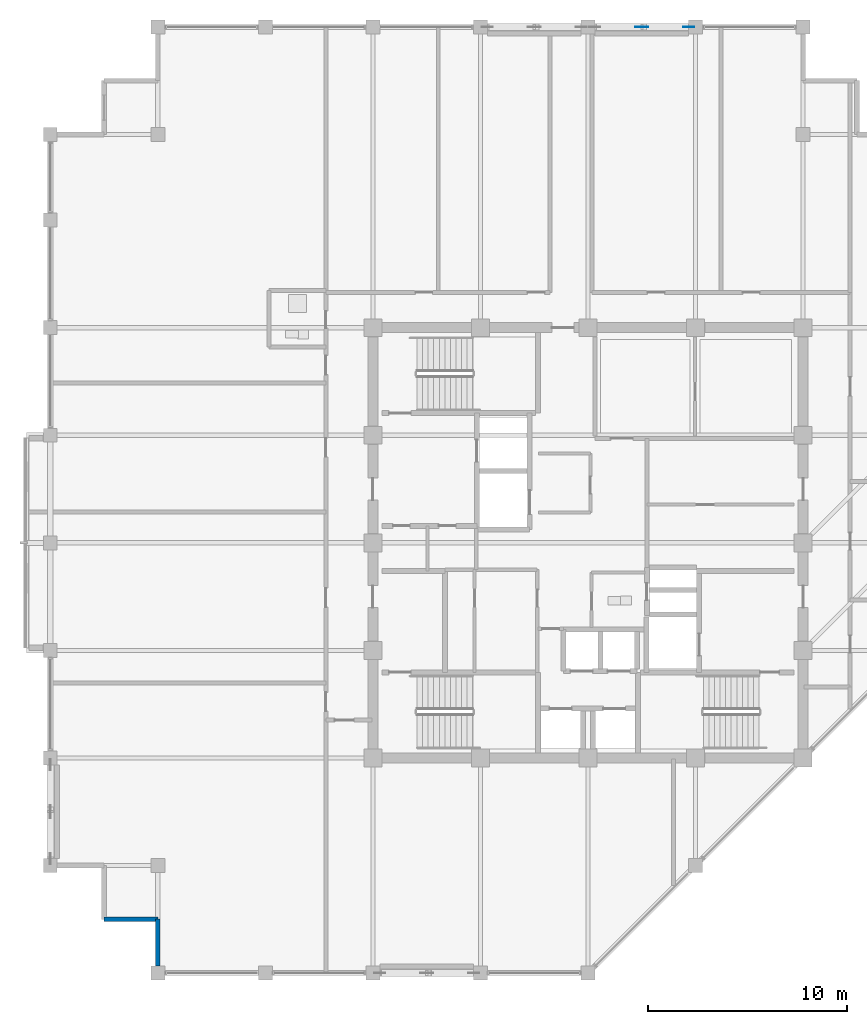
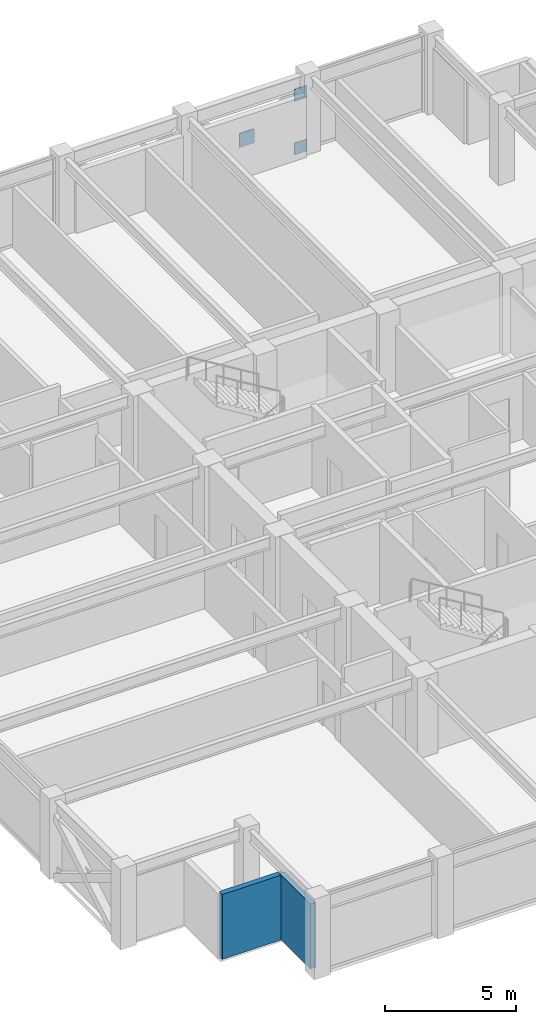
# One storey, part 23 of 30: 3 plates, 2 walls.
"""IFC4 building model written with IfcOpenShell, lengths in metres."""

from ifc_helpers import new_model, si_unit, direction, frame, frame_2d, origin, origin_2d, place, context, subcontext, project, spatial, rectangle, extrude, material, layer, layer_set, type_object, element, save


model = new_model("IFC4")

# Units and contexts
model_context = context("Model", 3, precision=1e-05, world=origin(), true_north=direction((0.0, 1.0)))
body_context = subcontext(model_context, "Body", "Model", "MODEL_VIEW")
ifc_project = project(units=[si_unit("LENGTHUNIT", "METRE"), si_unit("AREAUNIT", "SQUARE_METRE"), si_unit("VOLUMEUNIT", "CUBIC_METRE"), si_unit("PLANEANGLEUNIT", "RADIAN"), si_unit("MASSUNIT", "GRAM", prefix="KILO")], contexts=[model_context])

# Site, building, storey
site_placement = place(None, origin())
site = spatial("IfcSite", under=ifc_project, at=site_placement, CompositionType="ELEMENT")
building_placement = place(site_placement, origin())
building = spatial("IfcBuilding", under=site, at=building_placement, Name="Surkhivell Harbour Commons", CompositionType="ELEMENT")
storey_placement = place(building_placement, frame((0.0, 0.0, 307.5)))
storey = spatial("IfcBuildingStorey", under=building, at=storey_placement, Name="L80", CompositionType="ELEMENT", Elevation=307.5)

# Plates
ifc_material_1 = material(Name="Steel S460", Category="steel")
ifc_layer_1 = layer(ifc_material_1, 0.035888671875)
ifc_layer_set_1 = layer_set([ifc_layer_1], Name="Steel S460")
plate_type_1 = type_object("IfcPlateType", Name="PLT-GUS-550", PredefinedType="USERDEFINED", material=ifc_layer_set_1)
for number, where, z_axis, x_axis, name in (
    (1, (5.06494140625, 25.89990234375, -0.07470703125), (0.0, 0.0, 1.0), (1.0, 0.0, 0.0), "L80 Perimeter Mega-Brace MB- Corner Gusset N2-2"),
    (2, (5.06494140625, 25.89990234375, 2.41357421875), (0.0, 0.0, 1.0), (1.0, 0.0, 0.0), "L80 Perimeter Mega-Brace MB- Corner Gusset N2-4"),
):
    element("IfcPlate", number, at=place(storey_placement, frame(where, z_axis=z_axis, x_axis=x_axis)), inside=storey, type_object=plate_type_1, Name=name, ObjectType="GUSSET_PLATE", PredefinedType="USERDEFINED", context=body_context, shape_type="SweptSolid", body=[
        extrude(rectangle(XDim=0.550048828125, YDim=0.035888671875, at=origin_2d()), origin(), (0.0, 0.0, 1.0), 0.550048828125),
    ])
ifc_layer_2 = layer(ifc_material_1, 0.044921875)
ifc_layer_set_2 = layer_set([ifc_layer_2], Name="Steel S460")
plate_type_2 = type_object("IfcPlateType", Name="PLT-GUS-650", PredefinedType="USERDEFINED", material=ifc_layer_set_2)
plate_placement = place(storey_placement, frame((2.699951171875, 25.89990234375, 1.11962890625), z_axis=(0.0, 0.0, 1.0), x_axis=(1.0, 0.0, 0.0)))
element("IfcPlate", 3, at=plate_placement, inside=storey, type_object=plate_type_2, Name="L80 Perimeter Mega-Brace MB- Central Crossing Gusset N2", ObjectType="GUSSET_PLATE", PredefinedType="USERDEFINED", context=body_context, shape_type="SweptSolid", body=[
    extrude(rectangle(XDim=0.64990234375, YDim=0.044921875, at=origin_2d()), origin(), (0.0, 0.0, 1.0), 0.64990234375),
])

# Walls
ifc_material_2 = material(Name="Bronze-ochre cassette precast concrete C45/55", Category="concrete")
ifc_layer_3 = layer(ifc_material_2, 0.239990234375)
ifc_layer_set_3 = layer_set([ifc_layer_3], Name="Bronze-ochre cassette precast concrete C45/55")
wall_type = type_object("IfcWallType", Name="WAL-EXT-OCH240", PredefinedType="STANDARD", material=ifc_layer_set_3)
wall_1_placement = place(storey_placement, frame((-24.300048828125, -18.89990234375, 0.0), z_axis=(0.0, 0.0, 1.0), x_axis=(1.0, 0.0, 0.0)))
element("IfcWall", 4, at=wall_1_placement, inside=storey, type_object=wall_type, Name="L80 Serrated Corner Facade Wall 15", PredefinedType="STANDARD", context=body_context, shape_type="SweptSolid", body=[
    extrude(rectangle(XDim=2.699951171875, YDim=0.239990234375, at=frame_2d((1.35009765625, 0.0))), origin(), (0.0, 0.0, 1.0), 3.012939453125),
])
wall_2_placement = place(storey_placement, frame((-21.60009765625, -18.89990234375, 0.0), z_axis=(0.0, 0.0, 1.0), x_axis=(0.0, -1.0, 0.0)))
element("IfcWall", 5, at=wall_2_placement, inside=storey, type_object=wall_type, Name="L80 Serrated Corner Facade Wall 16", PredefinedType="STANDARD", context=body_context, shape_type="SweptSolid", body=[
    extrude(rectangle(XDim=2.35205078125, YDim=0.239990234375, at=frame_2d((1.176025390625, 0.0))), origin(), (0.0, 0.0, 1.0), 3.012939453125),
])

save(model, "model.ifc")
